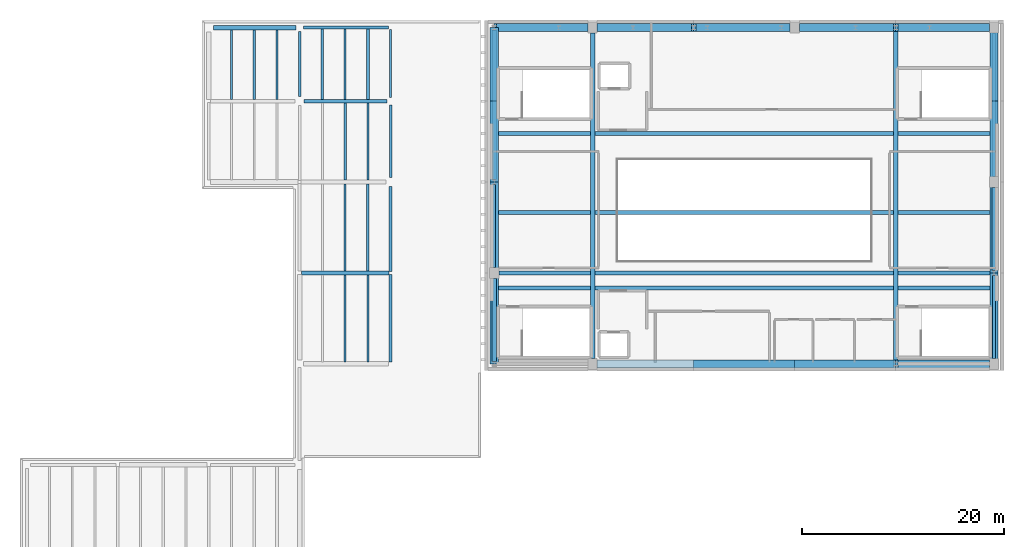
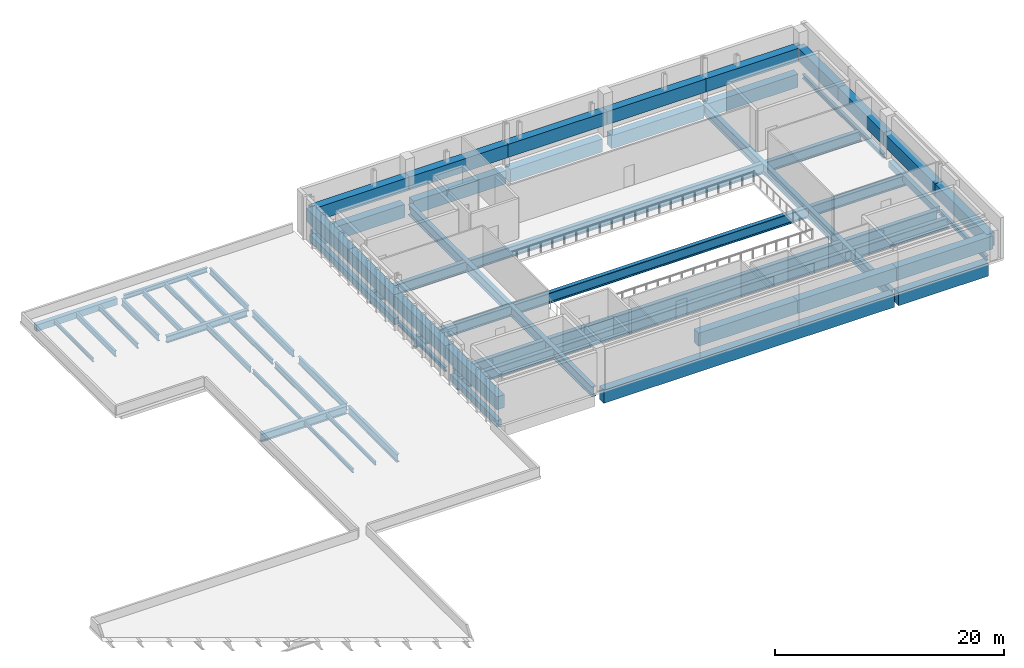
# One storey, part 4 of 8: 56 beams.
"""IFC4 building model written with IfcOpenShell, lengths in metres."""

from ifc_helpers import new_model, si_unit, direction, frame, origin, origin_2d, place, context, subcontext, project, spatial, rectangle, i_section, extrude, material, material_profile, profile_set, type_object, element, save


model = new_model("IFC4")

# Units and contexts
model_context = context("Model", 3, precision=1e-05, world=origin(), true_north=direction((0.0, 1.0)))
body_context = subcontext(model_context, "Body", "Model", "MODEL_VIEW")
ifc_project = project(units=[si_unit("LENGTHUNIT", "METRE"), si_unit("AREAUNIT", "SQUARE_METRE"), si_unit("VOLUMEUNIT", "CUBIC_METRE"), si_unit("PLANEANGLEUNIT", "RADIAN"), si_unit("MASSUNIT", "GRAM", prefix="KILO")], contexts=[model_context])

# Site, building, storey
site_placement = place(None, origin())
site = spatial("IfcSite", under=ifc_project, at=site_placement, CompositionType="ELEMENT")
building_placement = place(site_placement, origin())
building = spatial("IfcBuilding", under=site, at=building_placement, Name="Trimount Lyric Opera House", CompositionType="ELEMENT")
storey_placement = place(building_placement, frame((0.0, 0.0, 29.60009765625)))
storey = spatial("IfcBuildingStorey", under=building, at=storey_placement, Name="L06", CompositionType="ELEMENT", Elevation=29.60009765625)

# Beams
ifc_material_1 = material(Name="Steel ASTM A992 Grade 50", Category="steel")
ifc_material_profile_1 = material_profile(ifc_material_1, i_section(OverallWidth=0.40087890625, OverallDepth=0.861083984375, WebThickness=0.019775390625, FlangeThickness=0.032470703125, FilletRadius=0.02001953125, at=origin_2d()), Name="W33X221")
ifc_profile_set_1 = profile_set([ifc_material_profile_1], Name="Steel ASTM A992 Grade 50")
beam_type_1 = type_object("IfcBeamType", Name="B-04", PredefinedType="BEAM", material=ifc_profile_set_1)
beam_1_placement = place(storey_placement, frame((45.18408203125, 93.0, -0.70068359375), z_axis=(1.0, 0.0, 0.0), x_axis=(0.0, 1.0, 0.0)))
element("IfcBeam", 1, at=beam_1_placement, inside=storey, type_object=beam_type_1, Name="L06 girder X-1351", PredefinedType="BEAM", context=body_context, shape_type="SweptSolid", body=[
    extrude(i_section(OverallWidth=0.40087890625, OverallDepth=0.861083984375, WebThickness=0.019775390625, FlangeThickness=0.032470703125, FilletRadius=0.02001953125, at=origin_2d()), origin(), (0.0, 0.0, 1.0), 8.663330078125),
])
ifc_material_2 = material(Name="Steel ASTM A992 Grade 50", Category="steel")
ifc_material_profile_2 = material_profile(ifc_material_2, i_section(OverallWidth=0.2919921875, OverallDepth=0.845947265625, WebThickness=0.015380859375, FlangeThickness=0.0244140625, FilletRadius=0.01806640625, at=origin_2d()), Name="W33X141")
ifc_profile_set_2 = profile_set([ifc_material_profile_2], Name="Steel ASTM A992 Grade 50")
beam_type_2 = type_object("IfcBeamType", Name="B-05", PredefinedType="BEAM", material=ifc_profile_set_2)
beam_2_placement = place(storey_placement, frame((54.0, 84.177978515625, -0.693115234375), z_axis=(0.0, 1.0, 0.0), x_axis=(-1.0, 0.0, 0.0)))
element("IfcBeam", 2, at=beam_2_placement, inside=storey, type_object=beam_type_2, Name="L06 girder Y-1379", PredefinedType="BEAM", context=body_context, shape_type="SweptSolid", body=[
    extrude(i_section(OverallWidth=0.2919921875, OverallDepth=0.845947265625, WebThickness=0.015380859375, FlangeThickness=0.0244140625, FilletRadius=0.01806640625, at=origin_2d()), origin(), (0.0, 0.0, 1.0), 8.66845703125),
])
ifc_material_3 = material(Name="Steel ASTM A992 Grade 50", Category="steel")
ifc_material_profile_3 = material_profile(ifc_material_3, i_section(OverallWidth=0.26708984375, OverallDepth=0.761962890625, WebThickness=0.014404296875, FlangeThickness=0.021484375, FilletRadius=0.01708984375, at=origin_2d()), Name="W30X116")
ifc_profile_set_3 = profile_set([ifc_material_profile_3], Name="Steel ASTM A992 Grade 50")
beam_type_3 = type_object("IfcBeamType", Name="B-07", PredefinedType="BEAM", material=ifc_profile_set_3)
beam_3_placement = place(storey_placement, frame((54.0, 93.153564453125, -0.651123046875), z_axis=(0.0, 1.0, 0.0), x_axis=(-1.0, 0.0, 0.0)))
element("IfcBeam", 3, at=beam_3_placement, inside=storey, type_object=beam_type_3, Name="L06 girder Y-1380", PredefinedType="BEAM", context=body_context, shape_type="SweptSolid", body=[
    extrude(i_section(OverallWidth=0.26708984375, OverallDepth=0.761962890625, WebThickness=0.014404296875, FlangeThickness=0.021484375, FilletRadius=0.01708984375, at=origin_2d()), origin(), (0.0, 0.0, 1.0), 8.396484375),
])
ifc_material_4 = material(Name="Steel ASTM A992 Grade 50", Category="steel")
ifc_material_profile_4 = material_profile(ifc_material_4, i_section(OverallWidth=0.35595703125, OverallDepth=0.700927734375, WebThickness=0.016845703125, FlangeThickness=0.02734375, FilletRadius=0.01806640625, at=origin_2d()), Name="W27X161")
ifc_profile_set_4 = profile_set([ifc_material_profile_4], Name="Steel ASTM A992 Grade 50")
beam_type_4 = type_object("IfcBeamType", Name="B-08", PredefinedType="BEAM", material=ifc_profile_set_4)
beam_4_placement = place(storey_placement, frame((45.449951171875, 110.0, -0.62060546875), z_axis=(1.0, 0.0, 0.0), x_axis=(0.0, 1.0, 0.0)))
element("IfcBeam", 4, at=beam_4_placement, inside=storey, type_object=beam_type_4, Name="L06 girder X-1356", PredefinedType="BEAM", context=body_context, shape_type="SweptSolid", body=[
    extrude(i_section(OverallWidth=0.35595703125, OverallDepth=0.700927734375, WebThickness=0.016845703125, FlangeThickness=0.02734375, FilletRadius=0.01806640625, at=origin_2d()), origin(), (0.0, 0.0, 1.0), 8.175048828125),
])
ifc_material_5 = material(Name="Steel ASTM A992 Grade 50", Category="steel")
ifc_material_profile_5 = material_profile(ifc_material_5, i_section(OverallWidth=0.25390625, OverallDepth=0.68798828125, WebThickness=0.01318359375, FlangeThickness=0.02099609375, FilletRadius=0.01611328125, at=origin_2d()), Name="W27X102")
ifc_profile_set_5 = profile_set([ifc_material_profile_5], Name="Steel ASTM A992 Grade 50")
beam_type_5 = type_object("IfcBeamType", Name="B-09", PredefinedType="BEAM", material=ifc_profile_set_5)
beam_5_placement = place(storey_placement, frame((45.0, 110.449951171875, -0.614013671875), z_axis=(0.0, 1.0, 0.0), x_axis=(-1.0, 0.0, 0.0)))
element("IfcBeam", 5, at=beam_5_placement, inside=storey, type_object=beam_type_5, Name="L06 girder Y-1378", PredefinedType="BEAM", context=body_context, shape_type="SweptSolid", body=[
    extrude(i_section(OverallWidth=0.25390625, OverallDepth=0.68798828125, WebThickness=0.01318359375, FlangeThickness=0.02099609375, FilletRadius=0.01611328125, at=origin_2d()), origin(), (0.0, 0.0, 1.0), 6.455078125),
])
beam_6_placement = place(storey_placement, frame((54.0, 102.449951171875, -0.614013671875), z_axis=(0.0, 1.0, 0.0), x_axis=(-1.0, 0.0, 0.0)))
element("IfcBeam", 6, at=beam_6_placement, inside=storey, type_object=beam_type_5, Name="L06 girder Y-1381", PredefinedType="BEAM", context=body_context, shape_type="SweptSolid", body=[
    extrude(i_section(OverallWidth=0.25390625, OverallDepth=0.68798828125, WebThickness=0.01318359375, FlangeThickness=0.02099609375, FilletRadius=0.01611328125, at=origin_2d()), origin(), (0.0, 0.0, 1.0), 7.175048828125),
])
ifc_material_6 = material(Name="Steel ASTM A992 Grade 50", Category="steel")
ifc_material_profile_6 = material_profile(ifc_material_6, i_section(OverallWidth=0.22998046875, OverallDepth=0.616943359375, WebThickness=0.01318359375, FlangeThickness=0.022216796875, FilletRadius=0.013916015625, at=origin_2d()), Name="W24X94")
ifc_profile_set_6 = profile_set([ifc_material_profile_6], Name="Steel ASTM A992 Grade 50")
beam_type_6 = type_object("IfcBeamType", Name="B-11", PredefinedType="BEAM", material=ifc_profile_set_6)
beam_7_placement = place(storey_placement, frame((54.0, 110.375, -0.57861328125), z_axis=(0.0, 1.0, 0.0), x_axis=(-1.0, 0.0, 0.0)))
element("IfcBeam", 7, at=beam_7_placement, inside=storey, type_object=beam_type_6, Name="L06 girder Y-1382", PredefinedType="BEAM", context=body_context, shape_type="SweptSolid", body=[
    extrude(i_section(OverallWidth=0.22998046875, OverallDepth=0.616943359375, WebThickness=0.01318359375, FlangeThickness=0.022216796875, FilletRadius=0.013916015625, at=origin_2d()), origin(), (0.0, 0.0, 1.0), 6.72705078125),
])
ifc_material_7 = material(Name="Steel ASTM A992 Grade 50", Category="steel")
ifc_material_profile_7 = material_profile(ifc_material_7, i_section(OverallWidth=0.22802734375, OverallDepth=0.60205078125, WebThickness=0.010498046875, FlangeThickness=0.014892578125, FilletRadius=0.012939453125, at=origin_2d()), Name="W24X68")
ifc_profile_set_7 = profile_set([ifc_material_profile_7], Name="Steel ASTM A992 Grade 50")
beam_type_7 = type_object("IfcBeamType", Name="J-01", PredefinedType="BEAM", material=ifc_profile_set_7)
beam_8_placement = place(storey_placement, frame((40.5, 110.18701171875, -0.571044921875), z_axis=(0.0, 1.0, 0.0), x_axis=(-1.0, 0.0, 0.0)))
element("IfcBeam", 8, at=beam_8_placement, inside=storey, type_object=beam_type_7, Name="L06 composite floor joist 1323", PredefinedType="BEAM", context=body_context, shape_type="SweptSolid", body=[
    extrude(i_section(OverallWidth=0.22802734375, OverallDepth=0.60205078125, WebThickness=0.010498046875, FlangeThickness=0.014892578125, FilletRadius=0.012939453125, at=origin_2d()), origin(), (0.0, 0.0, 1.0), 6.8720703125),
])
beam_9_placement = place(storey_placement, frame((51.75, 93.196533203125, -0.571044921875), z_axis=(0.0, 1.0, 0.0), x_axis=(-1.0, 0.0, 0.0)))
element("IfcBeam", 9, at=beam_9_placement, inside=storey, type_object=beam_type_7, Name="L06 composite floor joist 1330", PredefinedType="BEAM", context=body_context, shape_type="SweptSolid", body=[
    extrude(i_section(OverallWidth=0.22802734375, OverallDepth=0.60205078125, WebThickness=0.010498046875, FlangeThickness=0.014892578125, FilletRadius=0.012939453125, at=origin_2d()), origin(), (0.0, 0.0, 1.0), 8.616455078125),
])
beam_10_placement = place(storey_placement, frame((49.5, 102.18701171875, -0.571044921875), z_axis=(0.0, 1.0, 0.0), x_axis=(-1.0, 0.0, 0.0)))
element("IfcBeam", 10, at=beam_10_placement, inside=storey, type_object=beam_type_7, Name="L06 composite floor joist 1332", PredefinedType="BEAM", context=body_context, shape_type="SweptSolid", body=[
    extrude(i_section(OverallWidth=0.22802734375, OverallDepth=0.60205078125, WebThickness=0.010498046875, FlangeThickness=0.014892578125, FilletRadius=0.012939453125, at=origin_2d()), origin(), (0.0, 0.0, 1.0), 7.638916015625),
])
beam_11_placement = place(storey_placement, frame((47.25, 110.174072265625, -0.571044921875), z_axis=(0.0, 1.0, 0.0), x_axis=(-1.0, 0.0, 0.0)))
element("IfcBeam", 11, at=beam_11_placement, inside=storey, type_object=beam_type_7, Name="L06 composite floor joist 1334", PredefinedType="BEAM", context=body_context, shape_type="SweptSolid", body=[
    extrude(i_section(OverallWidth=0.22802734375, OverallDepth=0.60205078125, WebThickness=0.010498046875, FlangeThickness=0.014892578125, FilletRadius=0.012939453125, at=origin_2d()), origin(), (0.0, 0.0, 1.0), 6.968994140625),
])
ifc_material_8 = material(Name="Steel ASTM A992 Grade 50", Category="steel")
ifc_material_profile_8 = material_profile(ifc_material_8, i_section(OverallWidth=0.2099609375, OverallDepth=0.532958984375, WebThickness=0.01025390625, FlangeThickness=0.015625, FilletRadius=0.012939453125, at=origin_2d()), Name="W21X62")
ifc_profile_set_8 = profile_set([ifc_material_profile_8], Name="Steel ASTM A992 Grade 50")
beam_type_8 = type_object("IfcBeamType", Name="J-02", PredefinedType="BEAM", material=ifc_profile_set_8)
beam_12_placement = place(storey_placement, frame((42.75, 110.18701171875, -0.53662109375), z_axis=(0.0, 1.0, 0.0), x_axis=(-1.0, 0.0, 0.0)))
element("IfcBeam", 12, at=beam_12_placement, inside=storey, type_object=beam_type_8, Name="L06 composite floor joist 1324", PredefinedType="BEAM", context=body_context, shape_type="SweptSolid", body=[
    extrude(i_section(OverallWidth=0.2099609375, OverallDepth=0.532958984375, WebThickness=0.01025390625, FlangeThickness=0.015625, FilletRadius=0.012939453125, at=origin_2d()), origin(), (0.0, 0.0, 1.0), 6.8720703125),
])
beam_13_placement = place(storey_placement, frame((51.75, 102.18701171875, -0.53662109375), z_axis=(0.0, 1.0, 0.0), x_axis=(-1.0, 0.0, 0.0)))
element("IfcBeam", 13, at=beam_13_placement, inside=storey, type_object=beam_type_8, Name="L06 composite floor joist 1333", PredefinedType="BEAM", context=body_context, shape_type="SweptSolid", body=[
    extrude(i_section(OverallWidth=0.2099609375, OverallDepth=0.532958984375, WebThickness=0.01025390625, FlangeThickness=0.015625, FilletRadius=0.012939453125, at=origin_2d()), origin(), (0.0, 0.0, 1.0), 7.638916015625),
])
beam_14_placement = place(storey_placement, frame((49.5, 110.174072265625, -0.53662109375), z_axis=(0.0, 1.0, 0.0), x_axis=(-1.0, 0.0, 0.0)))
element("IfcBeam", 14, at=beam_14_placement, inside=storey, type_object=beam_type_8, Name="L06 composite floor joist 1335", PredefinedType="BEAM", context=body_context, shape_type="SweptSolid", body=[
    extrude(i_section(OverallWidth=0.2099609375, OverallDepth=0.532958984375, WebThickness=0.01025390625, FlangeThickness=0.015625, FilletRadius=0.012939453125, at=origin_2d()), origin(), (0.0, 0.0, 1.0), 6.968994140625),
])
ifc_material_9 = material(Name="Steel ASTM A992 Grade 50", Category="steel")
ifc_material_profile_9 = material_profile(ifc_material_9, i_section(OverallWidth=0.281982421875, OverallDepth=0.467041015625, WebThickness=0.01220703125, FlangeThickness=0.01953125, FilletRadius=0.012939453125, at=origin_2d()), Name="W18X86")
ifc_profile_set_9 = profile_set([ifc_material_profile_9], Name="Steel ASTM A992 Grade 50")
beam_type_9 = type_object("IfcBeamType", Name="J-03", PredefinedType="BEAM", material=ifc_profile_set_9)
beam_15_placement = place(storey_placement, frame((51.75, 110.174072265625, -0.503662109375), z_axis=(0.0, 1.0, 0.0), x_axis=(-1.0, 0.0, 0.0)))
element("IfcBeam", 15, at=beam_15_placement, inside=storey, type_object=beam_type_9, Name="L06 composite floor joist 1336", PredefinedType="BEAM", context=body_context, shape_type="SweptSolid", body=[
    extrude(i_section(OverallWidth=0.281982421875, OverallDepth=0.467041015625, WebThickness=0.01220703125, FlangeThickness=0.01953125, FilletRadius=0.012939453125, at=origin_2d()), origin(), (0.0, 0.0, 1.0), 6.968994140625),
])
ifc_material_10 = material(Name="Steel ASTM A992 Grade 50", Category="steel")
ifc_material_profile_10 = material_profile(ifc_material_10, i_section(OverallWidth=0.180908203125, OverallDepth=0.4169921875, WebThickness=0.010986328125, FlangeThickness=0.018310546875, FilletRadius=0.010986328125, at=origin_2d()), Name="W16X57")
ifc_profile_set_10 = profile_set([ifc_material_profile_10], Name="Steel ASTM A992 Grade 50")
beam_type_10 = type_object("IfcBeamType", Name="J-05", PredefinedType="BEAM", material=ifc_profile_set_10)
beam_16_placement = place(storey_placement, frame((49.5, 84.20556640625, -0.478515625), z_axis=(0.0, 1.0, 0.0), x_axis=(-1.0, 0.0, 0.0)))
element("IfcBeam", 16, at=beam_16_placement, inside=storey, type_object=beam_type_10, Name="L06 composite floor joist 1326", PredefinedType="BEAM", context=body_context, shape_type="SweptSolid", body=[
    extrude(i_section(OverallWidth=0.180908203125, OverallDepth=0.4169921875, WebThickness=0.010986328125, FlangeThickness=0.018310546875, FilletRadius=0.010986328125, at=origin_2d()), origin(), (0.0, 0.0, 1.0), 8.597900390625),
])
ifc_material_11 = material(Name="Steel ASTM A992 Grade 50", Category="steel")
ifc_material_profile_11 = material_profile(ifc_material_11, i_section(OverallWidth=0.177978515625, OverallDepth=0.404052734375, WebThickness=0.007568359375, FlangeThickness=0.010986328125, FilletRadius=0.010009765625, at=origin_2d()), Name="W16X36")
ifc_profile_set_11 = profile_set([ifc_material_profile_11], Name="Steel ASTM A992 Grade 50")
beam_type_11 = type_object("IfcBeamType", Name="J-06", PredefinedType="BEAM", material=ifc_profile_set_11)
beam_17_placement = place(storey_placement, frame((38.25, 110.18701171875, -0.47216796875), z_axis=(0.0, 1.0, 0.0), x_axis=(-1.0, 0.0, 0.0)))
element("IfcBeam", 17, at=beam_17_placement, inside=storey, type_object=beam_type_11, Name="L06 composite floor joist 1322", PredefinedType="BEAM", context=body_context, shape_type="SweptSolid", body=[
    extrude(i_section(OverallWidth=0.177978515625, OverallDepth=0.404052734375, WebThickness=0.007568359375, FlangeThickness=0.010986328125, FilletRadius=0.010009765625, at=origin_2d()), origin(), (0.0, 0.0, 1.0), 6.8720703125),
])
beam_18_placement = place(storey_placement, frame((51.75, 84.20556640625, -0.47216796875), z_axis=(0.0, 1.0, 0.0), x_axis=(-1.0, 0.0, 0.0)))
element("IfcBeam", 18, at=beam_18_placement, inside=storey, type_object=beam_type_11, Name="L06 composite floor joist 1327", PredefinedType="BEAM", context=body_context, shape_type="SweptSolid", body=[
    extrude(i_section(OverallWidth=0.177978515625, OverallDepth=0.404052734375, WebThickness=0.007568359375, FlangeThickness=0.010986328125, FilletRadius=0.010009765625, at=origin_2d()), origin(), (0.0, 0.0, 1.0), 8.597900390625),
])
beam_19_placement = place(storey_placement, frame((49.5, 93.196533203125, -0.47216796875), z_axis=(0.0, 1.0, 0.0), x_axis=(-1.0, 0.0, 0.0)))
element("IfcBeam", 19, at=beam_19_placement, inside=storey, type_object=beam_type_11, Name="L06 composite floor joist 1329", PredefinedType="BEAM", context=body_context, shape_type="SweptSolid", body=[
    extrude(i_section(OverallWidth=0.177978515625, OverallDepth=0.404052734375, WebThickness=0.007568359375, FlangeThickness=0.010986328125, FilletRadius=0.010009765625, at=origin_2d()), origin(), (0.0, 0.0, 1.0), 8.616455078125),
])
ifc_material_12 = material(Name="Steel ASTM A992 Grade 50", Category="steel")
ifc_material_profile_12 = material_profile(ifc_material_12, i_section(OverallWidth=0.281982421875, OverallDepth=0.467041015625, WebThickness=0.01220703125, FlangeThickness=0.01953125, FilletRadius=0.012939453125, at=origin_2d()), Name="W18X86")
ifc_profile_set_12 = profile_set([ifc_material_profile_12], Name="Steel ASTM A992 Grade 50")
beam_type_12 = type_object("IfcBeamType", Name="SP-01", PredefinedType="SPANDREL", material=ifc_profile_set_12)
beam_20_placement = place(storey_placement, frame((45.375, 117.280029296875, -0.503662109375), z_axis=(1.0, 0.0, 0.0), x_axis=(0.0, 1.0, 0.0)))
element("IfcBeam", 20, at=beam_20_placement, inside=storey, type_object=beam_type_12, Name="L06 girder X-1358", PredefinedType="SPANDREL", context=body_context, shape_type="SweptSolid", body=[
    extrude(i_section(OverallWidth=0.281982421875, OverallDepth=0.467041015625, WebThickness=0.01220703125, FlangeThickness=0.01953125, FilletRadius=0.012939453125, at=origin_2d()), origin(), (0.0, 0.0, 1.0), 8.44091796875),
])
for number, where, z_axis, x_axis, name in (
    (21, (64.260009765625, 93.550048828125, -0.4736328125), (0.0, 1.0, 0.0), (-1.0, 0.0, 0.0), "L06 girder Y-1384"),
    (22, (113.739990234375, 84.550048828125, -0.4736328125), (0.0, 1.0, 0.0), (-1.0, 0.0, 0.0), "L06 girder Y-1388"),
):
    element("IfcBeam", number, at=place(storey_placement, frame(where, z_axis=z_axis, x_axis=x_axis)), inside=storey, type_object=beam_type_12, Name=name, PredefinedType="SPANDREL", context=body_context, shape_type="SweptSolid", body=[
        extrude(i_section(OverallWidth=0.281982421875, OverallDepth=0.467041015625, WebThickness=0.01220703125, FlangeThickness=0.01953125, FilletRadius=0.012939453125, at=origin_2d()), origin(), (0.0, 0.0, 1.0), 8.217529296875),
    ])
beam_21_placement = place(storey_placement, frame((113.739990234375, 102.550048828125, -0.4736328125), z_axis=(0.0, 1.0, 0.0), x_axis=(-1.0, 0.0, 0.0)))
element("IfcBeam", 23, at=beam_21_placement, inside=storey, type_object=beam_type_12, Name="L06 girder Y-1390", PredefinedType="SPANDREL", context=body_context, shape_type="SweptSolid", body=[
    extrude(i_section(OverallWidth=0.281982421875, OverallDepth=0.467041015625, WebThickness=0.01220703125, FlangeThickness=0.01953125, FilletRadius=0.012939453125, at=origin_2d()), origin(), (0.0, 0.0, 1.0), 14.179931640625),
])
ifc_material_13 = material(Name="Concrete C40/50", Category="concrete")
ifc_material_profile_13 = material_profile(ifc_material_13, rectangle(XDim=0.449951171875, YDim=0.699951171875, at=origin_2d()), Name="RC450X700")
ifc_profile_set_13 = profile_set([ifc_material_profile_13], Name="Concrete C40/50")
beam_type_13 = type_object("IfcBeamType", Name="SP-02", PredefinedType="SPANDREL", material=ifc_profile_set_13)
beam_22_placement = place(storey_placement, frame((36.449951171875, 117.280029296875, -0.6201171875), z_axis=(1.0, 0.0, 0.0), x_axis=(0.0, 1.0, 0.0)))
element("IfcBeam", 24, at=beam_22_placement, inside=storey, type_object=beam_type_13, Name="L06 girder X-1357", PredefinedType="SPANDREL", context=body_context, shape_type="SweptSolid", body=[
    extrude(rectangle(XDim=0.449951171875, YDim=0.699951171875, at=origin_2d()), origin(), (0.0, 0.0, 1.0), 8.175048828125),
])
beam_23_placement = place(storey_placement, frame((64.260009765625, 84.232421875, -0.590087890625), z_axis=(0.0, 1.0, 0.0), x_axis=(-1.0, 0.0, 0.0)))
element("IfcBeam", 25, at=beam_23_placement, inside=storey, type_object=beam_type_13, Name="L06 girder Y-1383", PredefinedType="SPANDREL", context=body_context, shape_type="SweptSolid", body=[
    extrude(rectangle(XDim=0.449951171875, YDim=0.699951171875, at=origin_2d()), origin(), (0.0, 0.0, 1.0), 8.217529296875),
])
beam_24_placement = place(storey_placement, frame((64.260009765625, 102.232421875, -0.590087890625), z_axis=(0.0, 1.0, 0.0), x_axis=(-1.0, 0.0, 0.0)))
element("IfcBeam", 26, at=beam_24_placement, inside=storey, type_object=beam_type_13, Name="L06 girder Y-1385", PredefinedType="SPANDREL", context=body_context, shape_type="SweptSolid", body=[
    extrude(rectangle(XDim=0.449951171875, YDim=0.699951171875, at=origin_2d()), origin(), (0.0, 0.0, 1.0), 14.815185546875),
])
beam_25_placement = place(storey_placement, frame((113.739990234375, 93.232421875, -0.590087890625), z_axis=(0.0, 1.0, 0.0), x_axis=(-1.0, 0.0, 0.0)))
element("IfcBeam", 27, at=beam_25_placement, inside=storey, type_object=beam_type_13, Name="L06 girder Y-1389", PredefinedType="SPANDREL", context=body_context, shape_type="SweptSolid", body=[
    extrude(rectangle(XDim=0.449951171875, YDim=0.699951171875, at=origin_2d()), origin(), (0.0, 0.0, 1.0), 8.217529296875),
])
ifc_material_14 = material(Name="Steel ASTM A992 Grade 50", Category="steel")
ifc_material_profile_14 = material_profile(ifc_material_14, i_section(OverallWidth=0.404052734375, OverallDepth=1.117919921875, WebThickness=0.026123046875, FlangeThickness=0.044921875, FilletRadius=0.02490234375, at=origin_2d()), Name="W44X335")
ifc_profile_set_14 = profile_set([ifc_material_profile_14], Name="Steel ASTM A992 Grade 50")
beam_type_14 = type_object("IfcBeamType", Name="TG-01", PredefinedType="USERDEFINED", material=ifc_profile_set_14)
beam_26_placement = place(storey_placement, frame((64.7099609375, 93.0, -0.799072265625), z_axis=(1.0, 0.0, 0.0), x_axis=(0.0, 1.0, 0.0)))
element("IfcBeam", 28, at=beam_26_placement, inside=storey, type_object=beam_type_14, Name="L06 girder X-1352", ObjectType="TRANSFER_GIRDER", PredefinedType="USERDEFINED", context=body_context, shape_type="SweptSolid", body=[
    extrude(i_section(OverallWidth=0.404052734375, OverallDepth=1.117919921875, WebThickness=0.026123046875, FlangeThickness=0.044921875, FilletRadius=0.02490234375, at=origin_2d()), origin(), (0.0, 0.0, 1.0), 48.819091796875),
])
for number, where, z_axis, x_axis, name in (
    (29, (64.159912109375, 91.5, -0.799072265625), (1.0, 0.0, 0.0), (0.0, 1.0, 0.0), "L06 gridiron long-span girder 1391"),
    (30, (64.159912109375, 99.0, -0.799072265625), (1.0, 0.0, 0.0), (0.0, 1.0, 0.0), "L06 gridiron long-span girder 1392"),
    (31, (64.159912109375, 106.800048828125, -0.799072265625), (1.0, 0.0, 0.0), (0.0, 1.0, 0.0), "L06 gridiron long-span girder 1393"),
):
    element("IfcBeam", number, at=place(storey_placement, frame(where, z_axis=z_axis, x_axis=x_axis)), inside=storey, type_object=beam_type_14, Name=name, ObjectType="TRANSFER_GIRDER", PredefinedType="USERDEFINED", context=body_context, shape_type="SweptSolid", body=[
        extrude(i_section(OverallWidth=0.404052734375, OverallDepth=1.117919921875, WebThickness=0.026123046875, FlangeThickness=0.044921875, FilletRadius=0.02490234375, at=origin_2d()), origin(), (0.0, 0.0, 1.0), 49.68017578125),
    ])
ifc_material_15 = material(Name="Steel ASTM A992 Grade 50", Category="steel")
ifc_material_profile_15 = material_profile(ifc_material_15, i_section(OverallWidth=0.427001953125, OverallDepth=1.092041015625, WebThickness=0.031005859375, FlangeThickness=0.055908203125, FilletRadius=0.02490234375, at=origin_2d()), Name="W40X397")
ifc_profile_set_15 = profile_set([ifc_material_profile_15], Name="Steel ASTM A992 Grade 50")
beam_type_15 = type_object("IfcBeamType", Name="TG-02", PredefinedType="USERDEFINED", material=ifc_profile_set_15)
beam_27_placement = place(storey_placement, frame((74.0, 84.550048828125, -0.7861328125), z_axis=(0.0, 1.0, 0.0), x_axis=(-1.0, 0.0, 0.0)))
element("IfcBeam", 32, at=beam_27_placement, inside=storey, type_object=beam_type_15, Name="L06 girder Y-1386", ObjectType="TRANSFER_GIRDER", PredefinedType="USERDEFINED", context=body_context, shape_type="SweptSolid", body=[
    extrude(i_section(OverallWidth=0.427001953125, OverallDepth=1.092041015625, WebThickness=0.031005859375, FlangeThickness=0.055908203125, FilletRadius=0.02490234375, at=origin_2d()), origin(), (0.0, 0.0, 1.0), 32.179931640625),
])
beam_28_placement = place(storey_placement, frame((104.0, 84.232421875, -0.7861328125), z_axis=(0.0, 1.0, 0.0), x_axis=(-1.0, 0.0, 0.0)))
element("IfcBeam", 33, at=beam_28_placement, inside=storey, type_object=beam_type_15, Name="L06 girder Y-1387", ObjectType="TRANSFER_GIRDER", PredefinedType="USERDEFINED", context=body_context, shape_type="SweptSolid", body=[
    extrude(i_section(OverallWidth=0.427001953125, OverallDepth=1.092041015625, WebThickness=0.031005859375, FlangeThickness=0.055908203125, FilletRadius=0.02490234375, at=origin_2d()), origin(), (0.0, 0.0, 1.0), 32.815185546875),
])
ifc_material_16 = material(Name="Concrete C50/60", Category="concrete")
ifc_material_profile_16 = material_profile(ifc_material_16, rectangle(XDim=0.800048828125, YDim=1.39990234375, at=origin_2d()), Name="RC800X1400")
ifc_profile_set_16 = profile_set([ifc_material_profile_16], Name="Concrete C50/60")
beam_type_16 = type_object("IfcBeamType", Name="TG-04", PredefinedType="USERDEFINED", material=ifc_profile_set_16)
beam_29_placement = place(storey_placement, frame((74.449951171875, 84.0, -0.940185546875), z_axis=(1.0, 0.0, 0.0), x_axis=(0.0, 1.0, 0.0)))
element("IfcBeam", 34, at=beam_29_placement, inside=storey, type_object=beam_type_16, Name="L06 girder X-1349", ObjectType="TRANSFER_GIRDER", PredefinedType="USERDEFINED", context=body_context, shape_type="SweptSolid", body=[
    extrude(rectangle(XDim=0.800048828125, YDim=1.39990234375, at=origin_2d()), origin(), (0.0, 0.0, 1.0), 29.339111328125),
])
for number, where, z_axis, x_axis, name in (
    (35, (104.2109375, 84.0, -0.940185546875), (1.0, 0.0, 0.0), (0.0, 1.0, 0.0), "L06 girder X-1350"),
    (36, (64.470947265625, 117.280029296875, -0.940185546875), (1.0, 0.0, 0.0), (0.0, 1.0, 0.0), "L06 girder X-1359"),
):
    element("IfcBeam", number, at=place(storey_placement, frame(where, z_axis=z_axis, x_axis=x_axis)), inside=storey, type_object=beam_type_16, Name=name, ObjectType="TRANSFER_GIRDER", PredefinedType="USERDEFINED", context=body_context, shape_type="SweptSolid", body=[
        extrude(rectangle(XDim=0.800048828125, YDim=1.39990234375, at=origin_2d()), origin(), (0.0, 0.0, 1.0), 9.0791015625),
    ])
for number, where, z_axis, x_axis, name in (
    (37, (74.449951171875, 117.280029296875, -0.940185546875), (1.0, 0.0, 0.0), (0.0, 1.0, 0.0), "L06 girder X-1360"),
    (38, (84.2109375, 117.280029296875, -0.940185546875), (1.0, 0.0, 0.0), (0.0, 1.0, 0.0), "L06 girder X-1361"),
    (39, (94.449951171875, 117.280029296875, -0.940185546875), (1.0, 0.0, 0.0), (0.0, 1.0, 0.0), "L06 girder X-1362"),
):
    element("IfcBeam", number, at=place(storey_placement, frame(where, z_axis=z_axis, x_axis=x_axis)), inside=storey, type_object=beam_type_16, Name=name, ObjectType="TRANSFER_GIRDER", PredefinedType="USERDEFINED", context=body_context, shape_type="SweptSolid", body=[
        extrude(rectangle(XDim=0.800048828125, YDim=1.39990234375, at=origin_2d()), origin(), (0.0, 0.0, 1.0), 9.339111328125),
    ])
beam_30_placement = place(storey_placement, frame((104.2109375, 117.280029296875, -0.940185546875), z_axis=(1.0, 0.0, 0.0), x_axis=(0.0, 1.0, 0.0)))
element("IfcBeam", 40, at=beam_30_placement, inside=storey, type_object=beam_type_16, Name="L06 girder X-1363", ObjectType="TRANSFER_GIRDER", PredefinedType="USERDEFINED", context=body_context, shape_type="SweptSolid", body=[
    extrude(rectangle(XDim=0.800048828125, YDim=1.39990234375, at=origin_2d()), origin(), (0.0, 0.0, 1.0), 9.0791015625),
])
for number, where, z_axis, x_axis, name in (
    (41, (84.0, 84.0, 1.7998046875), (1.0, 0.0, 0.0), (0.0, 1.0, 0.0), "L06 fly-tower eave transfer girder S-84"),
    (42, (94.0, 84.0, 1.7998046875), (1.0, 0.0, 0.0), (0.0, 1.0, 0.0), "L06 fly-tower eave transfer girder S-94"),
):
    element("IfcBeam", number, at=place(storey_placement, frame(where, z_axis=z_axis, x_axis=x_axis)), inside=storey, type_object=beam_type_16, Name=name, ObjectType="TRANSFER_GIRDER", PredefinedType="USERDEFINED", context=body_context, shape_type="SweptSolid", body=[
        extrude(rectangle(XDim=0.800048828125, YDim=1.39990234375, at=origin_2d()), origin(), (0.0, 0.0, 1.0), 10.0),
    ])
for number, where, z_axis, x_axis, name in (
    (43, (104.0, 84.0, 1.7998046875), (1.0, 0.0, 0.0), (0.0, 1.0, 0.0), "L06 fly-tower eave transfer girder S-104"),
    (44, (64.260009765625, 117.280029296875, 1.7998046875), (1.0, 0.0, 0.0), (0.0, 1.0, 0.0), "L06 fly-tower eave transfer girder N-64"),
):
    element("IfcBeam", number, at=place(storey_placement, frame(where, z_axis=z_axis, x_axis=x_axis)), inside=storey, type_object=beam_type_16, Name=name, ObjectType="TRANSFER_GIRDER", PredefinedType="USERDEFINED", context=body_context, shape_type="SweptSolid", body=[
        extrude(rectangle(XDim=0.800048828125, YDim=1.39990234375, at=origin_2d()), origin(), (0.0, 0.0, 1.0), 9.739990234375),
    ])
for number, where, z_axis, x_axis, name in (
    (45, (74.0, 117.280029296875, 1.7998046875), (1.0, 0.0, 0.0), (0.0, 1.0, 0.0), "L06 fly-tower eave transfer girder N-74"),
    (46, (84.0, 117.280029296875, 1.7998046875), (1.0, 0.0, 0.0), (0.0, 1.0, 0.0), "L06 fly-tower eave transfer girder N-84"),
    (47, (94.0, 117.280029296875, 1.7998046875), (1.0, 0.0, 0.0), (0.0, 1.0, 0.0), "L06 fly-tower eave transfer girder N-94"),
):
    element("IfcBeam", number, at=place(storey_placement, frame(where, z_axis=z_axis, x_axis=x_axis)), inside=storey, type_object=beam_type_16, Name=name, ObjectType="TRANSFER_GIRDER", PredefinedType="USERDEFINED", context=body_context, shape_type="SweptSolid", body=[
        extrude(rectangle(XDim=0.800048828125, YDim=1.39990234375, at=origin_2d()), origin(), (0.0, 0.0, 1.0), 10.0),
    ])
beam_31_placement = place(storey_placement, frame((104.0, 117.280029296875, 1.7998046875), z_axis=(1.0, 0.0, 0.0), x_axis=(0.0, 1.0, 0.0)))
element("IfcBeam", 48, at=beam_31_placement, inside=storey, type_object=beam_type_16, Name="L06 fly-tower eave transfer girder N-104", ObjectType="TRANSFER_GIRDER", PredefinedType="USERDEFINED", context=body_context, shape_type="SweptSolid", body=[
    extrude(rectangle(XDim=0.800048828125, YDim=1.39990234375, at=origin_2d()), origin(), (0.0, 0.0, 1.0), 9.739990234375),
])
for number, where, z_axis, x_axis, name in (
    (49, (64.260009765625, 84.0, 1.7998046875), (0.0, 1.0, 0.0), (-1.0, 0.0, 0.0), "L06 fly-tower gable girder W-84"),
    (50, (64.260009765625, 93.0, 1.7998046875), (0.0, 1.0, 0.0), (-1.0, 0.0, 0.0), "L06 fly-tower gable girder W-93"),
):
    element("IfcBeam", number, at=place(storey_placement, frame(where, z_axis=z_axis, x_axis=x_axis)), inside=storey, type_object=beam_type_16, Name=name, ObjectType="TRANSFER_GIRDER", PredefinedType="USERDEFINED", context=body_context, shape_type="SweptSolid", body=[
        extrude(rectangle(XDim=0.800048828125, YDim=1.39990234375, at=origin_2d()), origin(), (0.0, 0.0, 1.0), 9.0),
    ])
beam_32_placement = place(storey_placement, frame((64.260009765625, 102.0, 1.7998046875), z_axis=(0.0, 1.0, 0.0), x_axis=(-1.0, 0.0, 0.0)))
element("IfcBeam", 51, at=beam_32_placement, inside=storey, type_object=beam_type_16, Name="L06 fly-tower gable girder W-102", ObjectType="TRANSFER_GIRDER", PredefinedType="USERDEFINED", context=body_context, shape_type="SweptSolid", body=[
    extrude(rectangle(XDim=0.800048828125, YDim=1.39990234375, at=origin_2d()), origin(), (0.0, 0.0, 1.0), 8.0),
])
beam_33_placement = place(storey_placement, frame((64.260009765625, 110.0, 1.7998046875), z_axis=(0.0, 1.0, 0.0), x_axis=(-1.0, 0.0, 0.0)))
element("IfcBeam", 52, at=beam_33_placement, inside=storey, type_object=beam_type_16, Name="L06 fly-tower gable girder W-110", ObjectType="TRANSFER_GIRDER", PredefinedType="USERDEFINED", context=body_context, shape_type="SweptSolid", body=[
    extrude(rectangle(XDim=0.800048828125, YDim=1.39990234375, at=origin_2d()), origin(), (0.0, 0.0, 1.0), 7.280029296875),
])
for number, where, z_axis, x_axis, name in (
    (53, (113.739990234375, 84.0, 1.7998046875), (0.0, 1.0, 0.0), (-1.0, 0.0, 0.0), "L06 fly-tower gable girder E-84"),
    (54, (113.739990234375, 93.0, 1.7998046875), (0.0, 1.0, 0.0), (-1.0, 0.0, 0.0), "L06 fly-tower gable girder E-93"),
):
    element("IfcBeam", number, at=place(storey_placement, frame(where, z_axis=z_axis, x_axis=x_axis)), inside=storey, type_object=beam_type_16, Name=name, ObjectType="TRANSFER_GIRDER", PredefinedType="USERDEFINED", context=body_context, shape_type="SweptSolid", body=[
        extrude(rectangle(XDim=0.800048828125, YDim=1.39990234375, at=origin_2d()), origin(), (0.0, 0.0, 1.0), 9.0),
    ])
beam_34_placement = place(storey_placement, frame((113.739990234375, 102.0, 1.7998046875), z_axis=(0.0, 1.0, 0.0), x_axis=(-1.0, 0.0, 0.0)))
element("IfcBeam", 55, at=beam_34_placement, inside=storey, type_object=beam_type_16, Name="L06 fly-tower gable girder E-102", ObjectType="TRANSFER_GIRDER", PredefinedType="USERDEFINED", context=body_context, shape_type="SweptSolid", body=[
    extrude(rectangle(XDim=0.800048828125, YDim=1.39990234375, at=origin_2d()), origin(), (0.0, 0.0, 1.0), 8.0),
])
beam_35_placement = place(storey_placement, frame((113.739990234375, 110.0, 1.7998046875), z_axis=(0.0, 1.0, 0.0), x_axis=(-1.0, 0.0, 0.0)))
element("IfcBeam", 56, at=beam_35_placement, inside=storey, type_object=beam_type_16, Name="L06 fly-tower gable girder E-110", ObjectType="TRANSFER_GIRDER", PredefinedType="USERDEFINED", context=body_context, shape_type="SweptSolid", body=[
    extrude(rectangle(XDim=0.800048828125, YDim=1.39990234375, at=origin_2d()), origin(), (0.0, 0.0, 1.0), 7.280029296875),
])

save(model, "model.ifc")
